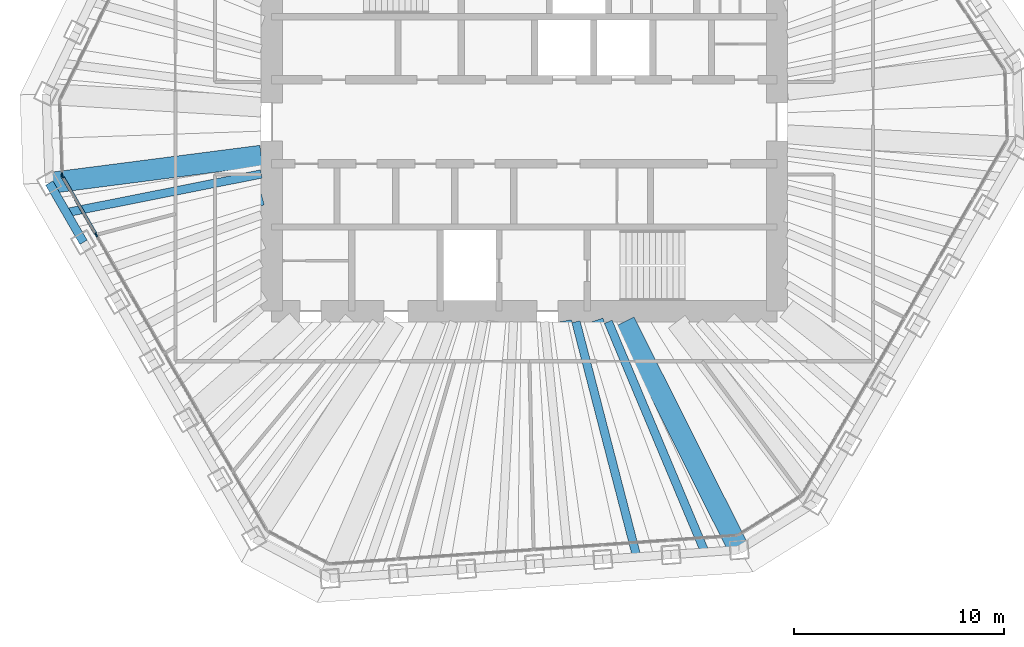
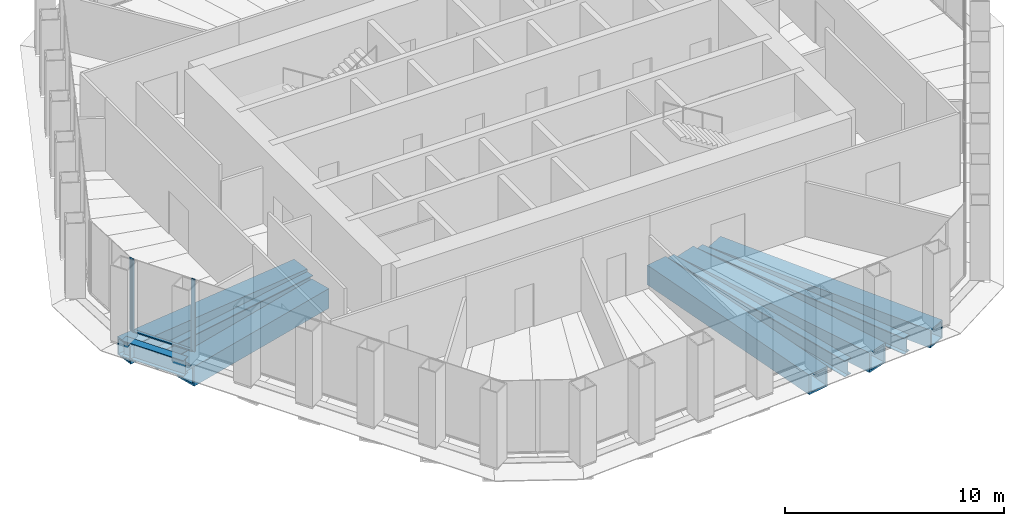
# One storey, part 3 of 14: 9 beams, 4 members, 2 elements without a shape of their own.
"""IFC4 building model written with IfcOpenShell, lengths in metres."""

from ifc_helpers import new_model, si_unit, direction, frame, origin, origin_2d, place, context, subcontext, project, spatial, rectangle, hollow_rectangle, i_section, extrude, material, material_profile, profile_set, type_object, element, aggregate, save


model = new_model("IFC4")

# Units and contexts
model_context = context("Model", 3, precision=1e-05, world=origin(), true_north=direction((0.0, 1.0)))
body_context = subcontext(model_context, "Body", "Model", "MODEL_VIEW")
ifc_project = project(units=[si_unit("LENGTHUNIT", "METRE"), si_unit("AREAUNIT", "SQUARE_METRE"), si_unit("VOLUMEUNIT", "CUBIC_METRE"), si_unit("PLANEANGLEUNIT", "RADIAN"), si_unit("MASSUNIT", "GRAM", prefix="KILO")], contexts=[model_context])

# Site, building, storey
site_placement = place(None, origin())
site = spatial("IfcSite", under=ifc_project, at=site_placement, CompositionType="ELEMENT")
building_placement = place(site_placement, origin())
building = spatial("IfcBuilding", under=site, at=building_placement, Name="Qingtian Harvest Tower", CompositionType="ELEMENT")
storey_placement = place(building_placement, frame((0.0, 0.0, 299.800048828125)))
storey = spatial("IfcBuildingStorey", under=building, at=storey_placement, Name="L66", CompositionType="ELEMENT", Elevation=299.800048828125)

# Beams
ifc_material_1 = material(Name="Steel SN490B", Category="steel")
ifc_material_profile_1 = material_profile(ifc_material_1, i_section(OverallWidth=0.39990234375, OverallDepth=0.89990234375, WebThickness=0.01904296875, FlangeThickness=0.035888671875, at=origin_2d()), Name="H900x400x19x36")
ifc_profile_set_1 = profile_set([ifc_material_profile_1], Name="Steel SN490B")
beam_type_1 = type_object("IfcBeamType", Name="Floor joist J4 H900x400x19x36", PredefinedType="JOIST", material=ifc_profile_set_1)
beam_1_placement = place(storey_placement, frame((8.58935546875, -20.45068359375, -0.6201171875), z_axis=(-0.387238075679, 0.921979757232, 0.0), x_axis=(-0.921979757232, -0.387238075679, 0.0)))
element("IfcBeam", 1, at=beam_1_placement, inside=storey, type_object=beam_type_1, Name="Floor joist J4 S0", PredefinedType="JOIST", context=body_context, shape_type="SweptSolid", body=[
    extrude(i_section(OverallWidth=0.39990234375, OverallDepth=0.89990234375, WebThickness=0.01904296875, FlangeThickness=0.035888671875, at=origin_2d()), origin(), (0.0, 0.0, 1.0), 11.87744140625),
])
beam_2_placement = place(storey_placement, frame((5.349365234375, -20.67724609375, -0.6201171875), z_axis=(-0.250458686855, 0.968127288211, 0.0), x_axis=(-0.968127288211, -0.250458686855, 0.0)))
element("IfcBeam", 2, at=beam_2_placement, inside=storey, type_object=beam_type_1, Name="Floor joist J4 S1", PredefinedType="JOIST", context=body_context, shape_type="SweptSolid", body=[
    extrude(i_section(OverallWidth=0.39990234375, OverallDepth=0.89990234375, WebThickness=0.01904296875, FlangeThickness=0.035888671875, at=origin_2d()), origin(), (0.0, 0.0, 1.0), 11.545166015625),
])
beam_3_placement = place(storey_placement, frame((-21.757568359375, -4.31494140625, -0.6201171875), z_axis=(0.980896774681, 0.194528962937, 0.0), x_axis=(-0.194528962937, 0.980896774681, 0.0)))
element("IfcBeam", 3, at=beam_3_placement, inside=storey, type_object=beam_type_1, Name="Floor joist J4 SW5", PredefinedType="JOIST", context=body_context, shape_type="SweptSolid", body=[
    extrude(i_section(OverallWidth=0.39990234375, OverallDepth=0.89990234375, WebThickness=0.01904296875, FlangeThickness=0.035888671875, at=origin_2d()), origin(), (0.0, 0.0, 1.0), 9.437744140625),
])

# Curtain wall, members
ifc_material_2 = material(Name="Bronze-anodised aluminium curtain wall", Category="aluminium")
curtain_wall_type = type_object("IfcCurtainWallType", Name="Curtain wall CW5 upper office", PredefinedType="USERDEFINED", material=ifc_material_2)
curtain_wall_1_placement = place(storey_placement, origin())
curtain_wall_1 = element("IfcCurtainWall", 4, at=curtain_wall_1_placement, inside=storey, type_object=curtain_wall_type, Name="Curtain wall CW5 L66 SW0-5", ObjectType="RECESSED CURTAIN WALL", PredefinedType="USERDEFINED")
ifc_material_3 = material(Name="Bronze-anodised aluminium mullion", Category="aluminium")
ifc_material_profile_2 = material_profile(ifc_material_3, rectangle(XDim=0.06494140625, YDim=0.199951171875, at=origin_2d()), Name="AL 65x200")
ifc_profile_set_2 = profile_set([ifc_material_profile_2], Name="Bronze-anodised aluminium mullion")
member_type_1 = type_object("IfcMemberType", Name="Mullion CWM 65x200", PredefinedType="MULLION", material=ifc_profile_set_2)
member_1_placement = place(storey_placement, frame((-20.33935546875, -5.371337890625, 0.0), z_axis=(0.0, 0.0, 1.0), x_axis=(-0.866025403784, -0.5, 0.0)))
member_1 = element("IfcMember", 5, at=member_1_placement, type_object=member_type_1, Name="CW5 mullion 6", PredefinedType="MULLION", context=body_context, shape_type="SweptSolid", body=[
    extrude(rectangle(XDim=0.06494140625, YDim=0.199951171875, at=origin_2d()), origin(), (0.0, 0.0, 1.0), 4.030029296875),
])
member_2_placement = place(storey_placement, frame((-21.947021484375, -2.586669921875, 0.0), z_axis=(0.0, 0.0, 1.0), x_axis=(-0.866025403784, -0.5, 0.0)))
member_2 = element("IfcMember", 6, at=member_2_placement, type_object=member_type_1, Name="CW5 mullion 7", PredefinedType="MULLION", context=body_context, shape_type="SweptSolid", body=[
    extrude(rectangle(XDim=0.06494140625, YDim=0.199951171875, at=origin_2d()), origin(), (0.0, 0.0, 1.0), 4.030029296875),
])

# Curtain wall, member
curtain_wall_2_placement = place(storey_placement, origin())
curtain_wall_2 = element("IfcCurtainWall", 7, at=curtain_wall_2_placement, inside=storey, type_object=curtain_wall_type, Name="Curtain wall CW5 L66 SWC", ObjectType="RECESSED CURTAIN WALL", PredefinedType="USERDEFINED")
member_3_placement = place(storey_placement, frame((-21.96435546875, -2.526123046875, 0.0), z_axis=(0.0, 0.0, 1.0), x_axis=(-0.999390827019, -0.034899496703, 0.0)))
member_3 = element("IfcMember", 8, at=member_3_placement, type_object=member_type_1, Name="CW5 mullion 1", PredefinedType="MULLION", context=body_context, shape_type="SweptSolid", body=[
    extrude(rectangle(XDim=0.06494140625, YDim=0.199951171875, at=origin_2d()), origin(), (0.0, 0.0, 1.0), 4.030029296875),
])
aggregate(curtain_wall_2, [member_3])

# Beams
ifc_material_4 = material(Name="Steel SN490B", Category="steel")
ifc_material_profile_3 = material_profile(ifc_material_4, i_section(OverallWidth=0.39990234375, OverallDepth=0.89990234375, WebThickness=0.01904296875, FlangeThickness=0.035888671875, at=origin_2d()), Name="H900x400x19x36")
ifc_profile_set_3 = profile_set([ifc_material_profile_3], Name="Steel SN490B")
beam_type_2 = type_object("IfcBeamType", Name="Spandrel beam SB4 H900x400x19x36", PredefinedType="SPANDREL", material=ifc_profile_set_3)
beam_4_placement = place(storey_placement, frame((-20.945556640625, -5.721435546875, -0.449951171875), z_axis=(-0.499987045439, 0.866032882975, 0.0), x_axis=(-0.866032882975, -0.499987045439, 0.0)))
element("IfcBeam", 9, at=beam_4_placement, inside=storey, type_object=beam_type_2, Name="Spandrel SB4 SW5", PredefinedType="SPANDREL", context=body_context, shape_type="SweptSolid", body=[
    extrude(i_section(OverallWidth=0.39990234375, OverallDepth=0.89990234375, WebThickness=0.01904296875, FlangeThickness=0.035888671875, at=origin_2d()), origin(), (0.0, 0.0, 1.0), 3.248046875),
])
ifc_material_5 = material(Name="Steel SM570MC", Category="steel")
ifc_material_profile_4 = material_profile(ifc_material_5, hollow_rectangle(XDim=1.0, YDim=1.0, WallThickness=0.080078125, at=origin_2d()), Name="BOX1000x1000x80")
ifc_profile_set_4 = profile_set([ifc_material_profile_4], Name="Steel SM570MC")
beam_type_3 = type_object("IfcBeamType", Name="Transfer corner beam FB11 BOX1000x1000x80", PredefinedType="BEAM", material=ifc_profile_set_4)
beam_5_placement = place(storey_placement, frame((10.20947265625, -20.33740234375, -0.670166015625), z_axis=(-0.448646499463, 0.89370930314, 0.0), x_axis=(-0.89370930314, -0.448646499463, 0.0)))
element("IfcBeam", 10, at=beam_5_placement, inside=storey, type_object=beam_type_3, Name="Floor beam FB11 S0", PredefinedType="BEAM", context=body_context, shape_type="SweptSolid", body=[
    extrude(hollow_rectangle(XDim=1.0, YDim=1.0, WallThickness=0.080078125, at=origin_2d()), origin(), (0.0, 0.0, 1.0), 12.126220703125),
])
beam_6_placement = place(storey_placement, frame((-22.569580078125, -2.908447265625, -0.670166015625), z_axis=(0.991799019918, 0.127807292784, 0.0), x_axis=(-0.127807292784, 0.991799019918, 0.0)))
element("IfcBeam", 11, at=beam_6_placement, inside=storey, type_object=beam_type_3, Name="Floor beam FB11 SW6", PredefinedType="BEAM", context=body_context, shape_type="SweptSolid", body=[
    extrude(hollow_rectangle(XDim=1.0, YDim=1.0, WallThickness=0.080078125, at=origin_2d()), origin(), (0.0, 0.0, 1.0), 10.15283203125),
])
ifc_material_6 = material(Name="Steel SM570MC", Category="steel")
ifc_material_profile_5 = material_profile(ifc_material_6, hollow_rectangle(XDim=1.10009765625, YDim=1.10009765625, WallThickness=0.10009765625, at=origin_2d()), Name="BOX1100x1100x100")
ifc_profile_set_5 = profile_set([ifc_material_profile_5], Name="Steel SM570MC")
beam_type_4 = type_object("IfcBeamType", Name="Transfer floor beam FB9 BOX1100x1100x100", PredefinedType="BEAM", material=ifc_profile_set_5)
beam_7_placement = place(storey_placement, frame((6.96923828125, -20.56396484375, -0.719970703125), z_axis=(-0.320963665382, 0.947091508517, 0.0), x_axis=(-0.947091508517, -0.320963665382, 0.0)))
element("IfcBeam", 12, at=beam_7_placement, inside=storey, type_object=beam_type_4, Name="Floor beam FB9 S1", PredefinedType="BEAM", context=body_context, shape_type="SweptSolid", body=[
    extrude(hollow_rectangle(XDim=1.10009765625, YDim=1.10009765625, WallThickness=0.10009765625, at=origin_2d()), origin(), (0.0, 0.0, 1.0), 11.68212890625),
])
beam_8_placement = place(storey_placement, frame((3.729248046875, -20.79052734375, -0.719970703125), z_axis=(-0.176549332285, 0.984291792747, 0.0), x_axis=(-0.984291792747, -0.176549332285, 0.0)))
element("IfcBeam", 13, at=beam_8_placement, inside=storey, type_object=beam_type_4, Name="Floor beam FB9 S2", PredefinedType="BEAM", context=body_context, shape_type="SweptSolid", body=[
    extrude(hollow_rectangle(XDim=1.10009765625, YDim=1.10009765625, WallThickness=0.10009765625, at=origin_2d()), origin(), (0.0, 0.0, 1.0), 11.470703125),
])
beam_9_placement = place(storey_placement, frame((-20.945556640625, -5.721435546875, -0.719970703125), z_axis=(0.964660783636, 0.263494919335, 0.0), x_axis=(-0.263494919335, 0.964660783636, 0.0)))
element("IfcBeam", 14, at=beam_9_placement, inside=storey, type_object=beam_type_4, Name="Floor beam FB9 SW5", PredefinedType="BEAM", context=body_context, shape_type="SweptSolid", body=[
    extrude(hollow_rectangle(XDim=1.10009765625, YDim=1.10009765625, WallThickness=0.10009765625, at=origin_2d()), origin(), (0.0, 0.0, 1.0), 8.7548828125),
])

# Member
ifc_material_7 = material(Name="Bronze-anodised aluminium transom", Category="aluminium")
ifc_material_profile_6 = material_profile(ifc_material_7, rectangle(XDim=0.14990234375, YDim=0.06494140625, at=origin_2d()), Name="AL 65x150")
ifc_profile_set_6 = profile_set([ifc_material_profile_6], Name="Bronze-anodised aluminium transom")
member_type_2 = type_object("IfcMemberType", Name="Transom CWT 65x150", PredefinedType="USERDEFINED", material=ifc_profile_set_6)
member_4_placement = place(storey_placement, frame((-20.35546875, -5.34326171875, 0.032470703125), z_axis=(-0.499972881236, 0.866041060244, 0.0), x_axis=(-0.866041060244, -0.499972881236, 0.0)))
member_4 = element("IfcMember", 15, at=member_4_placement, type_object=member_type_2, Name="CW5 transom 6.1", ObjectType="TRANSOM", PredefinedType="USERDEFINED", context=body_context, shape_type="SweptSolid", body=[
    extrude(rectangle(XDim=0.14990234375, YDim=0.06494140625, at=origin_2d()), origin(), (0.0, 0.0, 1.0), 3.150634765625),
])

aggregate(curtain_wall_1, [member_1, member_2, member_4])

save(model, "model.ifc")
